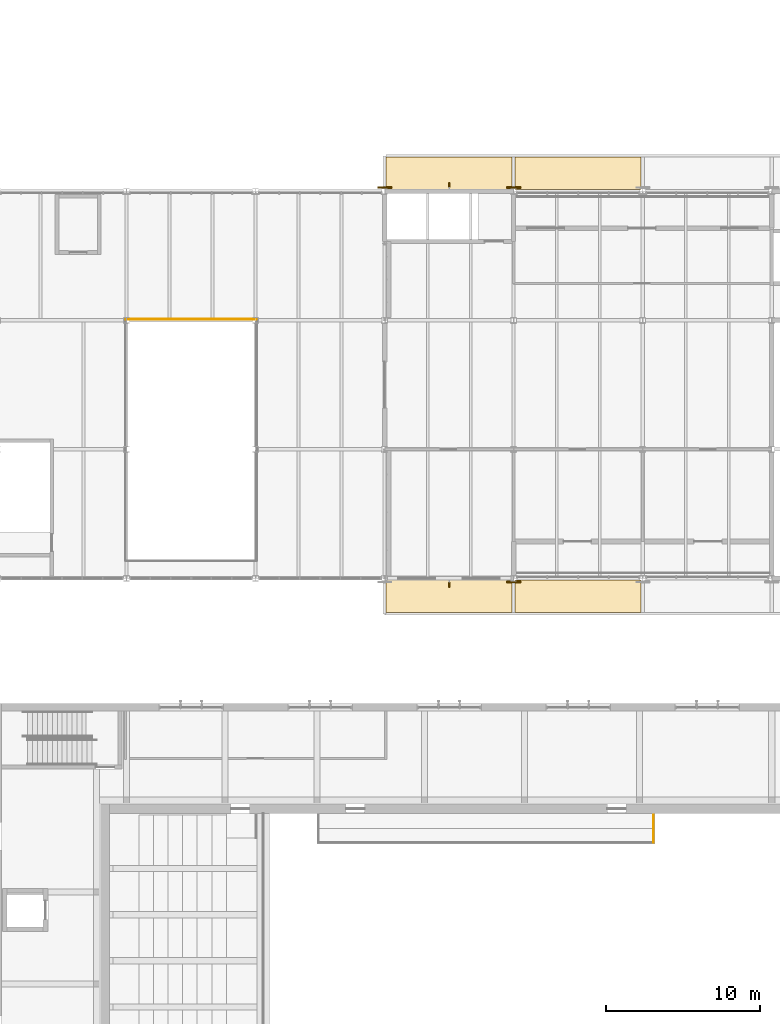
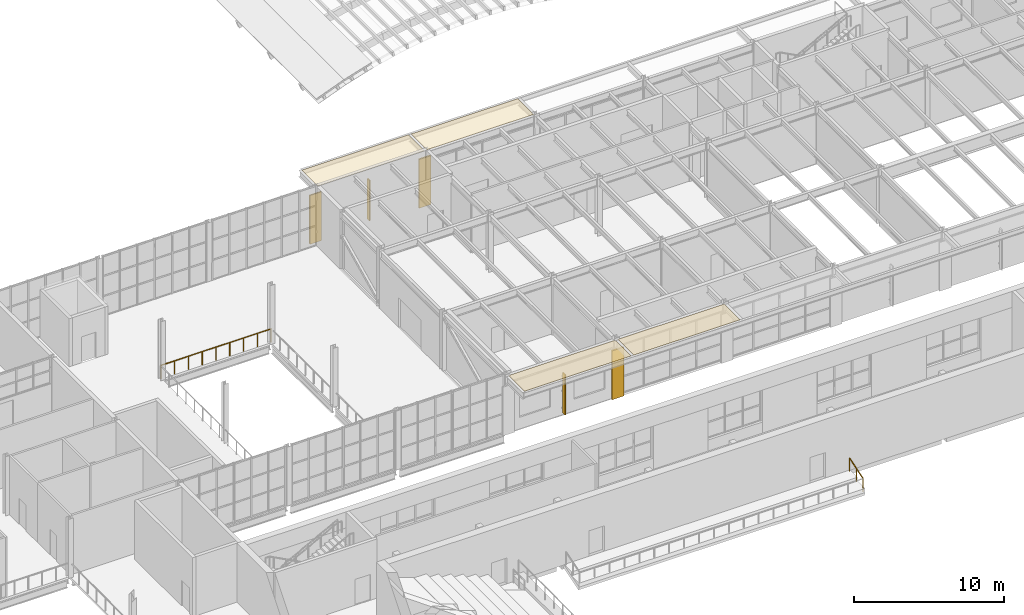
# One storey, part 111 of 116: 7 coverings, 2 railings, 2 shading devices.
"""IFC4 building model written with IfcOpenShell, lengths in metres."""

from ifc_helpers import new_model, si_unit, direction, frame, origin, origin_2d, place, context, subcontext, project, spatial, polyline, rectangle, circle, outline, extrude, material, layer, layer_set, type_object, element, save


model = new_model("IFC4")

# Units and contexts
model_context = context("Model", 3, precision=1e-05, world=origin(), true_north=direction((0.0, 1.0)))
body_context = subcontext(model_context, "Body", "Model", "MODEL_VIEW")
ifc_project = project(units=[si_unit("LENGTHUNIT", "METRE"), si_unit("AREAUNIT", "SQUARE_METRE"), si_unit("VOLUMEUNIT", "CUBIC_METRE"), si_unit("PLANEANGLEUNIT", "RADIAN"), si_unit("MASSUNIT", "GRAM", prefix="KILO")], contexts=[model_context])

# Site, building, storey
site_placement = place(None, origin())
site = spatial("IfcSite", under=ifc_project, at=site_placement, CompositionType="ELEMENT")
building_placement = place(site_placement, origin())
building = spatial("IfcBuilding", under=site, at=building_placement, Name="Ljudholm Concert House", CompositionType="ELEMENT")
storey_placement = place(building_placement, frame((0.0, 0.0, 10.199951171875)))
storey = spatial("IfcBuildingStorey", under=building, at=storey_placement, Name="L02", CompositionType="ELEMENT", Elevation=10.199951171875)

# Coverings
ifc_material_1 = material(Name="Aluminium extrusion with timber-grain PVDF finish", Category="aluminium")
ifc_layer_1 = layer(ifc_material_1, 0.030029296875)
ifc_layer_set_1 = layer_set([ifc_layer_1], Name="Aluminium extrusion with timber-grain PVDF finish")
covering_type_1 = type_object("IfcCoveringType", Name="ALUMINIUM EXTRUSION WITH TIMBER-GRAIN PVDF FINISH CEILING 30", PredefinedType="CEILING", material=ifc_layer_set_1)
covering_1_placement = place(storey_placement, frame((0.0, 0.0, 4.590087890625)))
element("IfcCovering", 1, at=covering_1_placement, inside=storey, type_object=covering_type_1, Name="Eave soffit", PredefinedType="CEILING", context=body_context, shape_type="SweptSolid", body=[
    extrude(outline(polyline([(54.504638671875, 102.577880859375), (62.6953125, 102.577880859375), (62.6953125, 104.685546875), (54.504638671875, 104.685546875), (54.504638671875, 102.577880859375)])), origin(), (0.0, 0.0, 1.0), 0.030029296875),
])
covering_2_placement = place(storey_placement, frame((0.0, 0.0, 4.590087890625)))
element("IfcCovering", 2, at=covering_2_placement, inside=storey, type_object=covering_type_1, Name="Eave soffit", PredefinedType="CEILING", context=body_context, shape_type="SweptSolid", body=[
    extrude(outline(polyline([(62.904541015625, 102.577880859375), (71.095458984375, 102.577880859375), (71.095458984375, 104.685546875), (62.904541015625, 104.685546875), (62.904541015625, 102.577880859375)])), origin(), (0.0, 0.0, 1.0), 0.030029296875),
])
covering_3_placement = place(storey_placement, frame((0.0, 0.0, 4.590087890625)))
element("IfcCovering", 3, at=covering_3_placement, inside=storey, type_object=covering_type_1, Name="Eave soffit", PredefinedType="CEILING", context=body_context, shape_type="SweptSolid", body=[
    extrude(outline(polyline([(54.504638671875, 130.114501953125), (62.6953125, 130.114501953125), (62.6953125, 132.22216796875), (54.504638671875, 132.22216796875), (54.504638671875, 130.114501953125)])), origin(), (0.0, 0.0, 1.0), 0.030029296875),
])
covering_4_placement = place(storey_placement, frame((0.0, 0.0, 4.590087890625)))
element("IfcCovering", 4, at=covering_4_placement, inside=storey, type_object=covering_type_1, Name="Eave soffit", PredefinedType="CEILING", context=body_context, shape_type="SweptSolid", body=[
    extrude(outline(polyline([(62.904541015625, 130.114501953125), (71.095458984375, 130.114501953125), (71.095458984375, 132.22216796875), (62.904541015625, 132.22216796875), (62.904541015625, 130.114501953125)])), origin(), (0.0, 0.0, 1.0), 0.030029296875),
])

# Shading devices
ifc_material_2 = material(Name="Aluminium extrusion with timber-grain PVDF finish", Category="aluminium")
shading_device_type = type_object("IfcShadingDeviceType", Name="FACADE FIN 300x80", PredefinedType="SHUTTER", material=ifc_material_2)
for number, where, z_axis, x_axis, name in (
    (5, (58.60009765625, 130.419921875, 0.25), (0.0, 0.0, 1.0), (0.0, 1.0, 0.0), "Facade fin"),
    (6, (58.60009765625, 104.3798828125, 0.25), (0.0, 0.0, 1.0), (0.0, -1.0, 0.0), "Facade fin"),
):
    element("IfcShadingDevice", number, at=place(storey_placement, frame(where, z_axis=z_axis, x_axis=x_axis)), inside=storey, type_object=shading_device_type, Name=name, PredefinedType="SHUTTER", context=body_context, shape_type="SweptSolid", body=[
        extrude(rectangle(XDim=0.300048828125, YDim=0.080078125, at=origin_2d()), origin(), (0.0, 0.0, 1.0), 3.27001953125),
    ])

# Railings
ifc_material_3 = material(Name="Steel ASTM A36", Category="steel")
railing_type = type_object("IfcRailingType", Name="GUARD 1100", PredefinedType="GUARDRAIL", material=ifc_material_3)
railing_1_placement = place(storey_placement, frame((71.89990234375, 89.39990234375, 0.0)))
element("IfcRailing", 7, at=railing_1_placement, inside=storey, type_object=railing_type, Name="Gallery end guard", PredefinedType="GUARDRAIL", context=body_context, shape_type="SweptSolid", body=[
    extrude(circle(Radius=0.02490234375, at=origin_2d()), frame((0.0, 0.0, 1.0751953125), z_axis=(0.0, -0.953322373624, -0.301954387197), x_axis=(1.0, 0.0, 0.0)), (0.0, 0.0, 1.0), 1.887939453125),
    extrude(circle(Radius=0.02099609375, at=origin_2d()), origin(), (0.0, 0.0, 1.0), 1.050048828125),
    extrude(circle(Radius=0.02099609375, at=origin_2d()), frame((0.0, -0.89990234375, -0.28515625)), (0.0, 0.0, 1.0), 1.050048828125),
    extrude(circle(Radius=0.02099609375, at=origin_2d()), frame((0.0, -1.7998046875, -0.570068359375)), (0.0, 0.0, 1.0), 1.050048828125),
])
railing_2_placement = place(storey_placement, frame((46.0400390625, 121.669921875, 0.0)))
element("IfcRailing", 8, at=railing_2_placement, inside=storey, type_object=railing_type, Name="Atrium guard", PredefinedType="GUARDRAIL", context=body_context, shape_type="SweptSolid", body=[
    extrude(circle(Radius=0.02490234375, at=origin_2d()), frame((0.0, 0.0, 1.0751953125), z_axis=(-1.0, 0.0, 0.0), x_axis=(0.0, -1.0, 0.0)), (0.0, 0.0, 1.0), 8.47998046875),
    extrude(circle(Radius=0.02099609375, at=origin_2d()), origin(), (0.0, 0.0, 1.0), 1.050048828125),
    extrude(circle(Radius=0.02099609375, at=origin_2d()), frame((-1.06005859375, 0.0, 0.0)), (0.0, 0.0, 1.0), 1.050048828125),
    extrude(circle(Radius=0.02099609375, at=origin_2d()), frame((-2.1201171875, 0.0, 0.0)), (0.0, 0.0, 1.0), 1.050048828125),
    extrude(circle(Radius=0.02099609375, at=origin_2d()), frame((-3.179931640625, 0.0, 0.0)), (0.0, 0.0, 1.0), 1.050048828125),
    extrude(circle(Radius=0.02099609375, at=origin_2d()), frame((-4.239990234375, 0.0, 0.0)), (0.0, 0.0, 1.0), 1.050048828125),
    extrude(circle(Radius=0.02099609375, at=origin_2d()), frame((-5.300048828125, 0.0, 0.0)), (0.0, 0.0, 1.0), 1.050048828125),
    extrude(circle(Radius=0.02099609375, at=origin_2d()), frame((-6.35986328125, 0.0, 0.0)), (0.0, 0.0, 1.0), 1.050048828125),
    extrude(circle(Radius=0.02099609375, at=origin_2d()), frame((-7.419921875, 0.0, 0.0)), (0.0, 0.0, 1.0), 1.050048828125),
    extrude(circle(Radius=0.02099609375, at=origin_2d()), frame((-8.47998046875, 0.0, 0.0)), (0.0, 0.0, 1.0), 1.050048828125),
])

# Coverings
ifc_material_4 = material(Name="Precast concrete, limestone aggregate", Category="masonry")
ifc_layer_2 = layer(ifc_material_4, 0.110107421875)
ifc_layer_set_2 = layer_set([ifc_layer_2], Name="Precast concrete, limestone aggregate")
covering_type_2 = type_object("IfcCoveringType", Name="PRECAST CONCRETE, LIMESTONE AGGREGATE CLADDING 110", PredefinedType="CLADDING", material=ifc_layer_set_2)
for number, where, z_axis, x_axis, name in (
    (9, (54.39990234375, 130.2451171875, 0.0), (0.0, 0.0, 1.0), (0.0, 1.0, 0.0), "Pilaster cladding"),
    (10, (62.800048828125, 130.2451171875, 0.0), (0.0, 0.0, 1.0), (0.0, 1.0, 0.0), "Pilaster cladding"),
    (11, (62.800048828125, 104.554931640625, 0.0), (0.0, 0.0, 1.0), (0.0, -1.0, 0.0), "Pilaster cladding"),
):
    element("IfcCovering", number, at=place(storey_placement, frame(where, z_axis=z_axis, x_axis=x_axis)), inside=storey, type_object=covering_type_2, Name=name, PredefinedType="CLADDING", context=body_context, shape_type="SweptSolid", body=[
        extrude(rectangle(XDim=0.110107421875, YDim=0.89990234375, at=origin_2d()), origin(), (0.0, 0.0, 1.0), 3.969970703125),
    ])

save(model, "model.ifc")
